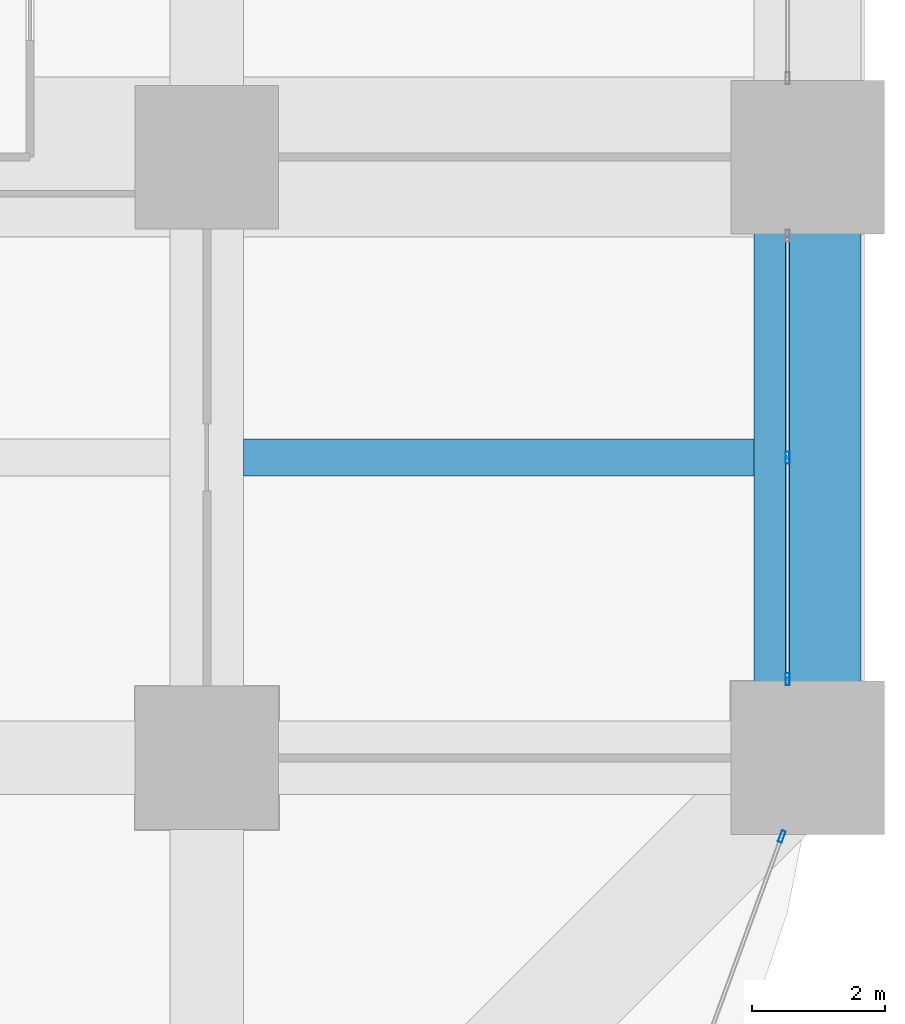
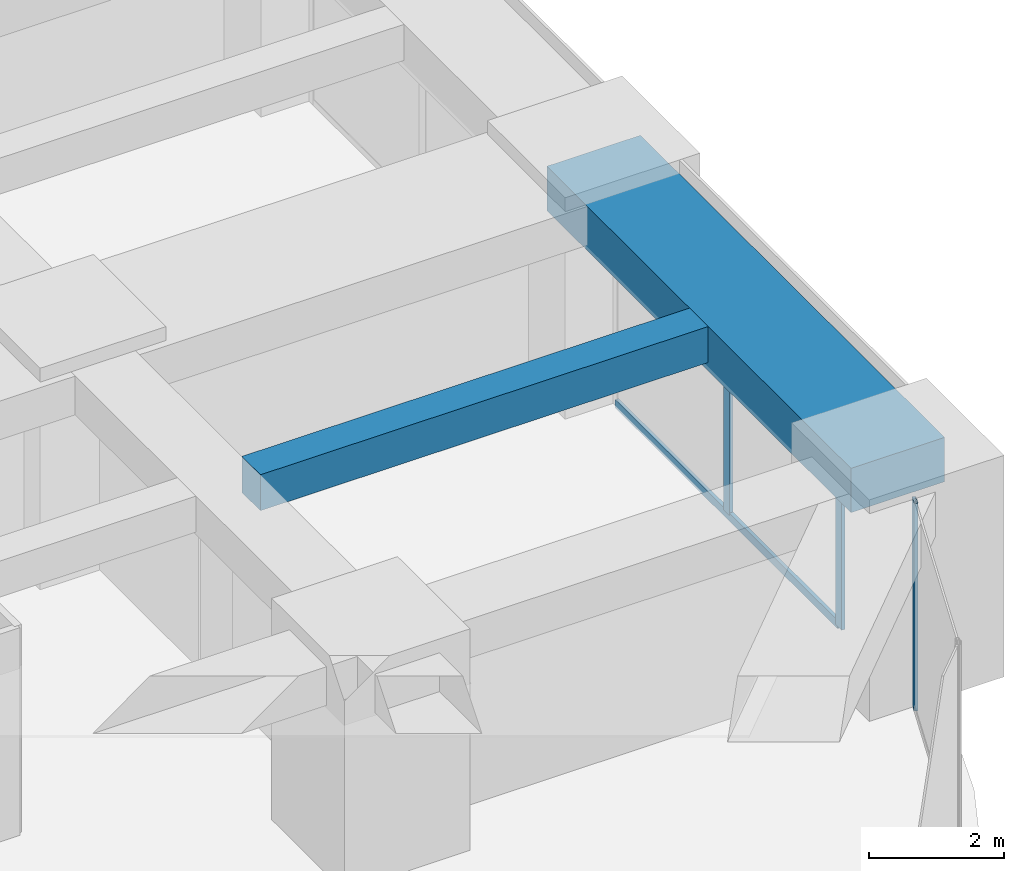
# One storey, part 18 of 43: 4 members, 2 beams, 2 elements without a shape of their own.
"""IFC4 building model written with IfcOpenShell, lengths in metres."""

import ifcopenshell
import ifcopenshell.guid

model = None  # the IFC model being written
_history = None  # IfcOwnerHistory: only IFC2X3 demands one
_inside = {}  # id of a spatial element -> (the spatial element, [elements in it])
_under = {}  # id of a project, library or spatial element -> (it, [spatial elements below it])
_declared = {}  # id of a project -> (the project, [libraries it declares])
_typed = {}  # id of a type object -> (the type object, [elements of that type])
_made_of = {}  # id of a material, layer set ... -> (it, [elements and type objects made of it])


def new_model(schema):
    """Start an empty IFC model of exactly this schema.

    Asked for "IFC4X3", IfcOpenShell would pick the latest addendum, in which some entities
    have other attributes; the version numbers below select the first issue.
    IFC2X3 requires an IfcOwnerHistory on every rooted entity: one is made here for all.
    """
    global model, _history
    if schema == "IFC4X3":
        model = ifcopenshell.file(schema_version=(4, 3, 0, 0))
    else:
        model = ifcopenshell.file(schema=schema)
    _inside.clear()
    _under.clear()
    _declared.clear()
    _typed.clear()
    _made_of.clear()
    _history = None
    if model.schema == "IFC2X3":
        org = make("IfcOrganization", Name="unknown")
        user = make(
            "IfcPersonAndOrganization",
            ThePerson=make("IfcPerson", FamilyName="unknown"),
            TheOrganization=org,
        )
        app = make(
            "IfcApplication",
            ApplicationDeveloper=org,
            Version="unknown",
            ApplicationFullName="unknown",
            ApplicationIdentifier="unknown",
        )
        _history = make(
            "IfcOwnerHistory",
            OwningUser=user,
            OwningApplication=app,
            ChangeAction="ADDED",
            CreationDate=0,
        )
    return model


def make(cls, **values):
    """One entity of the class cls with the attributes given. An attribute that is None is left unset."""
    return model.create_entity(
        cls, **{name: value for name, value in values.items() if value is not None}
    )


def rooted(cls, **values):
    """An entity with a GlobalId (a new one), such as an element, a storey or a relation."""
    return make(cls, GlobalId=ifcopenshell.guid.new(), OwnerHistory=_history, **values)


def si_unit(unit_type, name, prefix=None):
    """IfcSIUnit, for example si_unit("LENGTHUNIT", "METRE", prefix="MILLI")."""
    return make("IfcSIUnit", UnitType=unit_type, Prefix=prefix, Name=name)


def assignment(units):
    """IfcUnitAssignment: the units of a project."""
    return None if units is None else make("IfcUnitAssignment", Units=units)


def point(xyz):
    """IfcCartesianPoint."""
    return None if xyz is None else make("IfcCartesianPoint", Coordinates=xyz)


def direction(xyz):
    """IfcDirection."""
    return None if xyz is None else make("IfcDirection", DirectionRatios=xyz)


def frame(location, z_axis=None, x_axis=None):
    """IfcAxis2Placement3D, a coordinate frame: its origin and axes. An axis left out is left unset."""
    return make(
        "IfcAxis2Placement3D",
        Location=point(location),
        Axis=direction(z_axis),
        RefDirection=direction(x_axis),
    )


def frame_2d(location, x_axis=None):
    """IfcAxis2Placement2D, a coordinate frame in the plane: its origin and x axis."""
    return make(
        "IfcAxis2Placement2D", Location=point(location), RefDirection=direction(x_axis)
    )


def origin():
    """The frame at (0, 0, 0) with its axes left unset."""
    return frame((0.0, 0.0, 0.0))


def origin_2d():
    """The frame at (0, 0) in the plane with its x axis left unset."""
    return frame_2d((0.0, 0.0))


def place(relative_to, where):
    """IfcLocalPlacement: puts the frame where relative to a parent placement (None: the world)."""
    return make(
        "IfcLocalPlacement", PlacementRelTo=relative_to, RelativePlacement=where
    )


def context(
    kind, dimensions, precision=None, world=None, true_north=None, identifier=None
):
    """IfcGeometricRepresentationContext, for example the 3D "Model" context."""
    return make(
        "IfcGeometricRepresentationContext",
        ContextIdentifier=identifier,
        ContextType=kind,
        CoordinateSpaceDimension=dimensions,
        Precision=precision,
        WorldCoordinateSystem=world,
        TrueNorth=true_north,
    )


def subcontext(parent, identifier, kind, view, scale=None):
    """IfcGeometricRepresentationSubContext, for example "Body" below "Model"."""
    return make(
        "IfcGeometricRepresentationSubContext",
        ContextIdentifier=identifier,
        ContextType=kind,
        ParentContext=parent,
        TargetScale=scale,
        TargetView=view,
    )


def project(units=None, contexts=None):
    """IfcProject with its units and contexts."""
    return rooted(
        "IfcProject",
        Name="project",
        RepresentationContexts=contexts,
        UnitsInContext=assignment(units),
    )


def spatial(cls, under=None, at=None, **own):
    """A site, building, storey or space (cls), placed at a placement, below another one or the project."""
    s = rooted(cls, ObjectPlacement=at, **own)
    if under is not None:
        _under.setdefault(under.id(), (under, []))[1].append(s)
    return s


def profile(cls, at=None, kind="AREA", **sizes):
    """A parametric profile (cls). Its sizes go by their IFC names, for example OverallWidth=200.0."""
    return make(cls, ProfileType=kind, Position=at, **sizes)


def rectangle(**sizes):
    """IfcRectangleProfileDef."""
    return profile("IfcRectangleProfileDef", **sizes)


def hollow_rectangle(**sizes):
    """IfcRectangleHollowProfileDef."""
    return profile("IfcRectangleHollowProfileDef", **sizes)


def extrude(swept, where, along, depth):
    """IfcExtrudedAreaSolid: the profile swept, set in the frame where, extruded along a direction by depth."""
    return make(
        "IfcExtrudedAreaSolid",
        SweptArea=swept,
        Position=where,
        ExtrudedDirection=direction(along),
        Depth=depth,
    )


def shape(context_of_items, identifier, shape_type, items):
    """IfcShapeRepresentation: the items that make up one representation, for example the "Body"."""
    return make(
        "IfcShapeRepresentation",
        ContextOfItems=context_of_items,
        RepresentationIdentifier=identifier,
        RepresentationType=shape_type,
        Items=items,
    )


def material(Name=None, Category=None):
    """IfcMaterial."""
    return make("IfcMaterial", Name=Name, Category=Category)


def material_profile(
    of_material, cross_section, Name=None, Category=None, Priority=None
):
    """IfcMaterialProfile: a cross section and its material."""
    return make(
        "IfcMaterialProfile",
        Name=Name,
        Material=of_material,
        Profile=cross_section,
        Priority=Priority,
        Category=Category,
    )


def profile_set(profiles, Name=None, composite=None):
    """IfcMaterialProfileSet."""
    return make(
        "IfcMaterialProfileSet",
        Name=Name,
        MaterialProfiles=profiles,
        CompositeProfile=composite,
    )


def made_of(thing, what):
    """Note that an element or type object is made of a material, layer set ...; save() writes the relation."""
    if what is not None:
        _made_of.setdefault(what.id(), (what, []))[1].append(thing)
    return thing


def type_object(cls, material=None, **own):
    """A type object (cls), such as IfcWallType, which elements share."""
    return made_of(rooted(cls, **own), material)


def element(
    cls,
    number,
    at=None,
    inside=None,
    cuts=None,
    type_object=None,
    material=None,
    context=None,
    identifier="Body",
    shape_type=None,
    held_by="IfcProductDefinitionShape",
    body=None,
    shapes=None,
    **own,
):
    """One element of the class cls, such as IfcWall. Its Tag is "e" and its number.

    at: its placement. inside: the storey or other place that contains it. cuts: it is an
    opening in that element (IfcRelVoidsElement). A single representation is given by context,
    identifier, shape_type and body (its items); several are given by shapes. held_by: the class
    of the entity that holds the representations. save() writes the other relations.
    """
    e = rooted(cls, Tag="e%d" % number, ObjectPlacement=at, **own)
    if body is not None:
        shapes = [shape(context, identifier, shape_type, body)]
    if shapes is not None:
        e.Representation = make(held_by, Representations=shapes)
    if inside is not None:
        _inside.setdefault(inside.id(), (inside, []))[1].append(e)
    if cuts is not None:
        rooted(
            "IfcRelVoidsElement", RelatingBuildingElement=cuts, RelatedOpeningElement=e
        )
    if type_object is not None:
        _typed.setdefault(type_object.id(), (type_object, []))[1].append(e)
    return made_of(e, material)


def aggregate(whole, parts):
    """IfcRelAggregates: a whole, such as a stair, and the parts it consists of."""
    return rooted("IfcRelAggregates", RelatingObject=whole, RelatedObjects=parts)


def save(model, path):
    """Write the relations noted so far, then the file.

    IfcRelAggregates (storeys below a building ...), IfcRelContainedInSpatialStructure (elements
    in a storey), IfcRelDefinesByType, IfcRelAssociatesMaterial and IfcRelDeclares: one each for
    every whole, place, type object, material and project.
    """
    for whole, parts in _under.values():
        aggregate(whole, parts)
    for where, things in _inside.values():
        rooted(
            "IfcRelContainedInSpatialStructure",
            RelatedElements=things,
            RelatingStructure=where,
        )
    for kind, things in _typed.values():
        rooted("IfcRelDefinesByType", RelatedObjects=things, RelatingType=kind)
    for what, things in _made_of.values():
        rooted("IfcRelAssociatesMaterial", RelatedObjects=things, RelatingMaterial=what)
    for by, libraries in _declared.values():
        rooted("IfcRelDeclares", RelatingContext=by, RelatedDefinitions=libraries)
    model.write(path)


model = new_model("IFC4")

# Units and contexts
model_context = context("Model", 3, precision=1e-05, world=origin(), true_north=direction((0.0, 1.0)))
body_context = subcontext(model_context, "Body", "Model", "MODEL_VIEW")
ifc_project = project(units=[si_unit("LENGTHUNIT", "METRE"), si_unit("AREAUNIT", "SQUARE_METRE"), si_unit("VOLUMEUNIT", "CUBIC_METRE"), si_unit("PLANEANGLEUNIT", "RADIAN"), si_unit("MASSUNIT", "GRAM", prefix="KILO")], contexts=[model_context])

# Site, building, storey
site_placement = place(None, origin())
site = spatial("IfcSite", under=ifc_project, at=site_placement, CompositionType="ELEMENT")
building_placement = place(site_placement, origin())
building = spatial("IfcBuilding", under=site, at=building_placement, Name="Zorevar Civic Tower", CompositionType="ELEMENT")
storey_placement = place(building_placement, frame((0.0, 0.0, 67.800048828125)))
storey = spatial("IfcBuildingStorey", under=building, at=storey_placement, Name="L16", CompositionType="ELEMENT", Elevation=67.800048828125)

# Beam
ifc_material_1 = material(Name="Concrete C50/60", Category="concrete")
ifc_material_profile_1 = material_profile(ifc_material_1, rectangle(XDim=0.550048828125, YDim=0.64990234375, at=origin_2d()), Name="RC 550x650")
ifc_profile_set_1 = profile_set([ifc_material_profile_1], Name="Concrete C50/60")
beam_type_1 = type_object("IfcBeamType", Name="Beam RC 550x650", PredefinedType="BEAM", material=ifc_profile_set_1)
beam_1_placement = place(storey_placement, frame((54.550048828125, 13.5, 3.425048828125), z_axis=(1.0, 0.0, 0.0), x_axis=(0.0, 1.0, 0.0)))
element("IfcBeam", 1, at=beam_1_placement, inside=storey, type_object=beam_type_1, Name="Secondary beam L17", PredefinedType="BEAM", context=body_context, shape_type="SweptSolid", body=[
    extrude(rectangle(XDim=0.550048828125, YDim=0.64990234375, at=origin_2d()), origin(), (0.0, 0.0, 1.0), 7.64990234375),
])

# Curtain wall, members
ifc_material_2 = material(Name="Dark grey solar-control glass in black aluminium frame", Category="aluminium")
curtain_wall_type = type_object("IfcCurtainWallType", Name="Curtain wall CW2 low zone", PredefinedType="NOTDEFINED", material=ifc_material_2)
curtain_wall_1_placement = place(storey_placement, origin())
curtain_wall_1 = element("IfcCurtainWall", 2, at=curtain_wall_1_placement, inside=storey, type_object=curtain_wall_type, Name="CW2 L16", PredefinedType="NOTDEFINED")
ifc_material_3 = material(Name="Aluminium, black anodised", Category="aluminium")
ifc_material_profile_2 = material_profile(ifc_material_3, hollow_rectangle(XDim=0.06005859375, YDim=0.179931640625, WallThickness=0.00390625, at=origin_2d()), Name="AL 180x60x4")
ifc_profile_set_2 = profile_set([ifc_material_profile_2], Name="Aluminium, black anodised")
member_type_1 = type_object("IfcMemberType", Name="CW2 mullion AL 180x60x4", PredefinedType="MULLION", material=ifc_profile_set_2)
member_1_placement = place(storey_placement, frame((62.699951171875, 10.179931640625, 0.0), z_axis=(0.0, 0.0, 1.0), x_axis=(-1.0, 0.0, 0.0)))
member_1 = element("IfcMember", 3, at=member_1_placement, type_object=member_type_1, Name="CW2 mullion 1", PredefinedType="MULLION", context=body_context, shape_type="SweptSolid", body=[
    extrude(hollow_rectangle(XDim=0.06005859375, YDim=0.179931640625, WallThickness=0.00390625, at=origin_2d()), origin(), (0.0, 0.0, 1.0), 2.949951171875),
])
member_2_placement = place(storey_placement, frame((62.699951171875, 13.5, 0.06005859375), z_axis=(0.0, 0.0, 1.0), x_axis=(-1.0, 0.0, 0.0)))
member_2 = element("IfcMember", 4, at=member_2_placement, type_object=member_type_1, Name="CW2 mullion 2", PredefinedType="MULLION", context=body_context, shape_type="SweptSolid", body=[
    extrude(hollow_rectangle(XDim=0.06005859375, YDim=0.179931640625, WallThickness=0.00390625, at=origin_2d()), origin(), (0.0, 0.0, 1.0), 2.889892578125),
])

# Curtain wall, member
curtain_wall_2_placement = place(storey_placement, origin())
curtain_wall_2 = element("IfcCurtainWall", 5, at=curtain_wall_2_placement, inside=storey, type_object=curtain_wall_type, Name="CW2 L16", PredefinedType="NOTDEFINED")
member_3_placement = place(storey_placement, frame((62.61328125, 7.82177734375, 0.0), z_axis=(0.0, 0.0, 1.0), x_axis=(-0.939313345732, 0.343060400701, 0.0)))
member_3 = element("IfcMember", 6, at=member_3_placement, type_object=member_type_1, Name="CW2 mullion 2", PredefinedType="MULLION", context=body_context, shape_type="SweptSolid", body=[
    extrude(hollow_rectangle(XDim=0.06005859375, YDim=0.179931640625, WallThickness=0.00390625, at=origin_2d()), origin(), (0.0, 0.0, 1.0), 3.75),
])
aggregate(curtain_wall_2, [member_3])

# Member
ifc_material_4 = material(Name="Aluminium, black anodised", Category="aluminium")
ifc_material_profile_3 = material_profile(ifc_material_4, hollow_rectangle(XDim=0.06005859375, YDim=0.14990234375, WallThickness=0.00390625, at=origin_2d()), Name="AL 150x60x4")
ifc_profile_set_3 = profile_set([ifc_material_profile_3], Name="Aluminium, black anodised")
member_type_2 = type_object("IfcMemberType", Name="CW2 transom AL 150x60x4", PredefinedType="USERDEFINED", material=ifc_profile_set_3)
member_4_placement = place(storey_placement, frame((62.699951171875, 10.2099609375, 0.030029296875), z_axis=(0.0, 1.0, 0.0), x_axis=(-1.0, 0.0, 0.0)))
member_4 = element("IfcMember", 7, at=member_4_placement, type_object=member_type_2, Name="CW2 sill transom", ObjectType="TRANSOM", PredefinedType="USERDEFINED", context=body_context, shape_type="SweptSolid", body=[
    extrude(hollow_rectangle(XDim=0.06005859375, YDim=0.14990234375, WallThickness=0.00390625, at=origin_2d()), origin(), (0.0, 0.0, 1.0), 6.580078125),
])

aggregate(curtain_wall_1, [member_1, member_2, member_4])

# Beam
ifc_material_5 = material(Name="Concrete C50/60", Category="concrete")
ifc_material_profile_4 = material_profile(ifc_material_5, rectangle(XDim=1.60009765625, YDim=0.800048828125, at=origin_2d()), Name="RC 1600x800")
ifc_profile_set_4 = profile_set([ifc_material_profile_4], Name="Concrete C50/60")
beam_type_2 = type_object("IfcBeamType", Name="Edge beam RC 1600x800", PredefinedType="SPANDREL", material=ifc_profile_set_4)
beam_2_placement = place(storey_placement, frame((63.0, 9.0, 3.349853515625), z_axis=(0.0, 1.0, 0.0), x_axis=(-1.0, 0.0, 0.0)))
element("IfcBeam", 8, at=beam_2_placement, inside=storey, type_object=beam_type_2, Name="Edge beam L17", PredefinedType="SPANDREL", context=body_context, shape_type="SweptSolid", body=[
    extrude(rectangle(XDim=1.60009765625, YDim=0.800048828125, at=origin_2d()), origin(), (0.0, 0.0, 1.0), 9.0),
])

save(model, "model.ifc")
